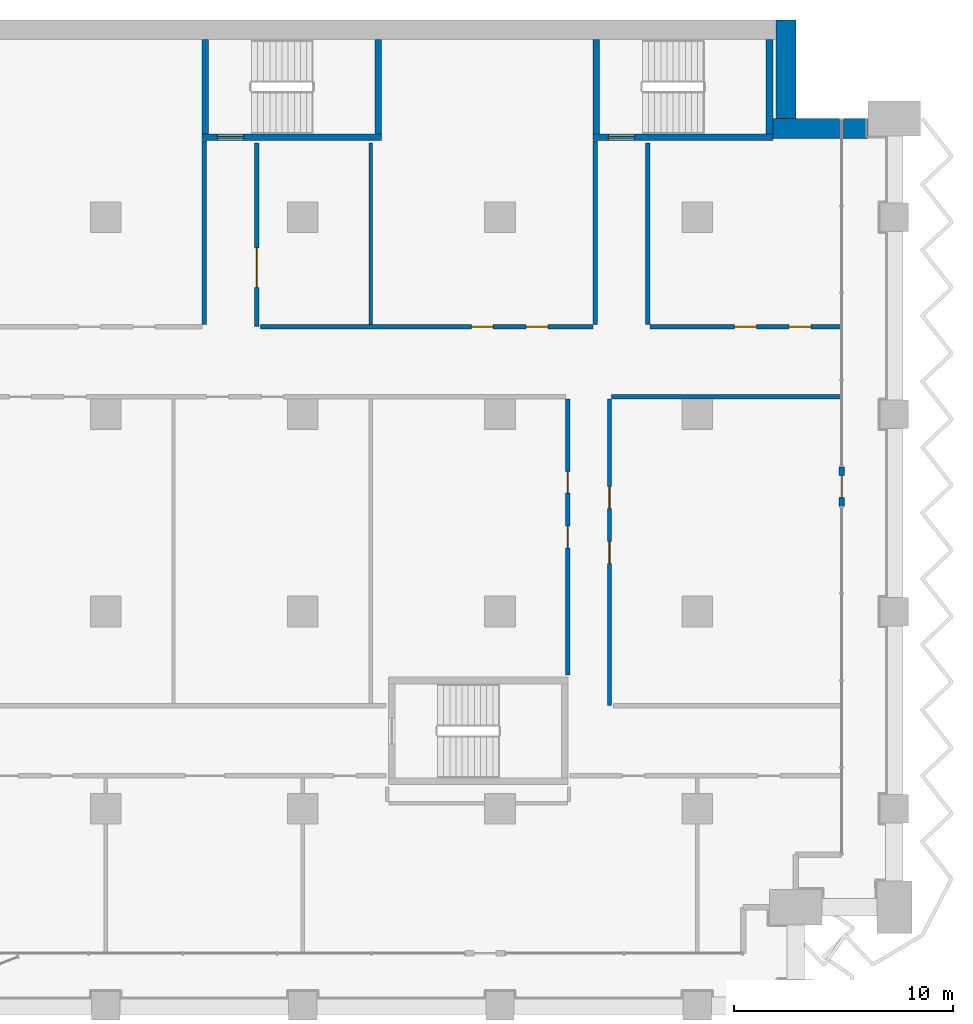
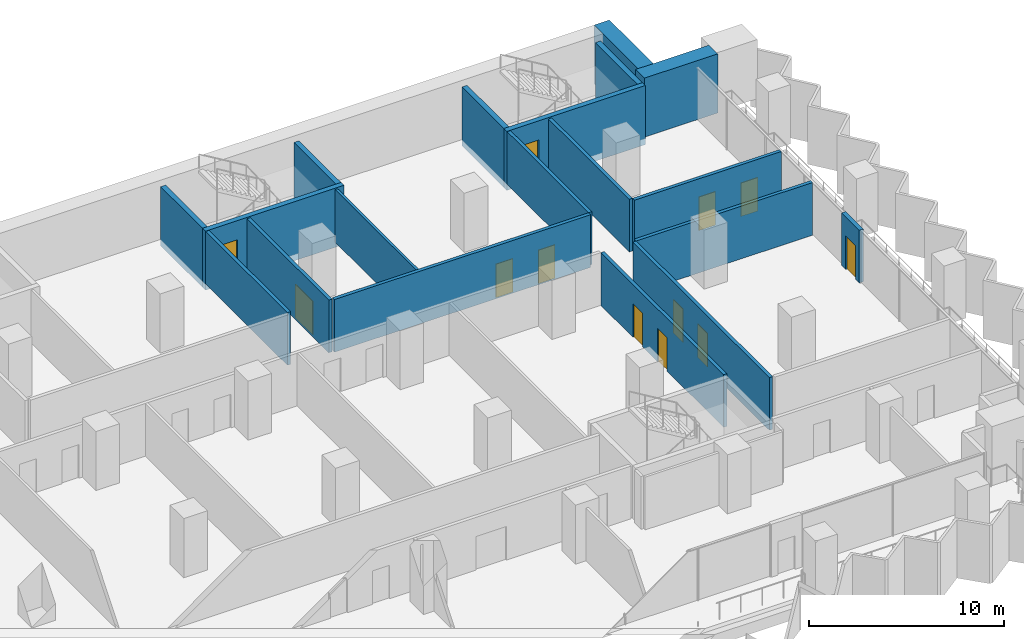
# One storey, part 18 of 28: 19 walls, 12 doors, 12 openings.
"""IFC4 building model written with IfcOpenShell, lengths in metres."""

from ifc_helpers import new_model, si_unit, direction, frame, frame_2d, origin, place, context, subcontext, project, spatial, rectangle, extrude, material, layer, layer_set, type_object, element, fill, save


model = new_model("IFC4")

# Units and contexts
model_context = context("Model", 3, precision=1e-05, world=origin(), true_north=direction((0.0, 1.0)))
body_context = subcontext(model_context, "Body", "Model", "MODEL_VIEW")
ifc_project = project(units=[si_unit("LENGTHUNIT", "METRE"), si_unit("AREAUNIT", "SQUARE_METRE"), si_unit("VOLUMEUNIT", "CUBIC_METRE"), si_unit("PLANEANGLEUNIT", "RADIAN"), si_unit("MASSUNIT", "GRAM", prefix="KILO")], contexts=[model_context])

# Site, building, storey
site_placement = place(None, origin())
site = spatial("IfcSite", under=ifc_project, at=site_placement, CompositionType="ELEMENT")
building_placement = place(site_placement, origin())
building = spatial("IfcBuilding", under=site, at=building_placement, Name="Hunhe Ridgeline Campus", CompositionType="ELEMENT")
storey_placement = place(building_placement, frame((0.0, 0.0, 43.199951171875)))
storey = spatial("IfcBuildingStorey", under=building, at=storey_placement, Name="L09", CompositionType="ELEMENT", Elevation=43.199951171875)

# Wall
ifc_material_1 = material(Name="Gypsum board partition")
ifc_layer_1 = layer(ifc_material_1, 0.199951171875)
ifc_layer_set_1 = layer_set([ifc_layer_1], Name="Corridor partition 200 gypsum board on steel studs")
wall_type_1 = type_object("IfcWallType", Name="Corridor partition 200 gypsum board on steel studs", PredefinedType="PARTITIONING", material=ifc_layer_set_1)
wall_1_placement = place(storey_placement, frame((96.544921875, 81.800048828125, 0.0), z_axis=(0.0, 0.0, 1.0), x_axis=(-1.0, 0.0, 0.0)))
element("IfcWall", 1, at=wall_1_placement, inside=storey, type_object=wall_type_1, Name="F-L09-wall-039", PredefinedType="PARTITIONING", context=body_context, shape_type="SweptSolid", body=[
    extrude(rectangle(XDim=10.44482421875, YDim=0.199951171875, at=frame_2d((5.222412109375, 0.0))), origin(), (0.0, 0.0, 1.0), 3.300048828125),
])

# Wall, openings, doors
wall_2_placement = place(storey_placement, frame((70.0703125, 85.0, 0.0), z_axis=(0.0, 0.0, 1.0), x_axis=(1.0, 0.0, 0.0)))
wall_2 = element("IfcWall", 2, at=wall_2_placement, inside=storey, type_object=wall_type_1, Name="F-L09-wall-042", PredefinedType="PARTITIONING", context=body_context, shape_type="SweptSolid", body=[
    extrude(rectangle(XDim=15.1796875, YDim=0.199951171875, at=frame_2d((7.58984375, 0.0))), origin(), (0.0, 0.0, 1.0), 3.300048828125),
])
opening_1_placement = place(wall_2_placement, frame((9.619873046875, 0.0, 0.0)))
opening_1 = element("IfcOpeningElement", 3, at=opening_1_placement, cuts=wall_2, Name="Opening RD1-047", PredefinedType="OPENING", context=body_context, shape_type="SweptSolid", body=[
    extrude(rectangle(XDim=1.0, YDim=2.10009765625, at=frame_2d((0.5, 1.050048828125))), frame((0.0, 0.10009765625, 0.0), z_axis=(0.0, -1.0, 0.0), x_axis=(1.0, 0.0, 0.0)), (0.0, 0.0, 1.0), 0.199951171875),
])
opening_2_placement = place(wall_2_placement, frame((12.119873046875, 0.0, 0.0)))
opening_2 = element("IfcOpeningElement", 4, at=opening_2_placement, cuts=wall_2, Name="Opening RD1-048", PredefinedType="OPENING", context=body_context, shape_type="SweptSolid", body=[
    extrude(rectangle(XDim=1.0, YDim=2.10009765625, at=frame_2d((0.5, 1.050048828125))), frame((0.0, 0.10009765625, 0.0), z_axis=(0.0, -1.0, 0.0), x_axis=(1.0, 0.0, 0.0)), (0.0, 0.0, 1.0), 0.199951171875),
])
ifc_material_2 = material(Name="Timber door leaf", Category="wood")
door_type_1 = type_object("IfcDoorType", Name="Single fire door 1000x2100 timber FD60", OperationType="NOTDEFINED", PredefinedType="DOOR", material=ifc_material_2)
door_1_placement = place(opening_1_placement, frame((1.0, 0.0, 0.0), z_axis=(0.0, 0.0, 1.0), x_axis=(-1.0, 0.0, 0.0)))
door_1 = element("IfcDoor", 5, at=door_1_placement, inside=storey, type_object=door_type_1, Name="F-L09-door-047", OperationType="SINGLE_SWING_LEFT", OverallHeight=2.10009765625, OverallWidth=1.0, PredefinedType="DOOR", context=body_context, shape_type="SweptSolid", body=[
    extrude(rectangle(XDim=1.0, YDim=2.10009765625, at=frame_2d((0.5, 1.050048828125))), frame((0.0, 0.02490234375, 0.0), z_axis=(0.0, -1.0, 0.0), x_axis=(1.0, 0.0, 0.0)), (0.0, 0.0, 1.0), 0.050048828125),
])
fill(opening_1, door_1)
door_2_placement = place(opening_2_placement, frame((1.0, 0.0, 0.0), z_axis=(0.0, 0.0, 1.0), x_axis=(-1.0, 0.0, 0.0)))
door_2 = element("IfcDoor", 6, at=door_2_placement, inside=storey, type_object=door_type_1, Name="F-L09-door-048", OperationType="SINGLE_SWING_LEFT", OverallHeight=2.10009765625, OverallWidth=1.0, PredefinedType="DOOR", context=body_context, shape_type="SweptSolid", body=[
    extrude(rectangle(XDim=1.0, YDim=2.10009765625, at=frame_2d((0.5, 1.050048828125))), frame((0.0, 0.02490234375, 0.0), z_axis=(0.0, -1.0, 0.0), x_axis=(1.0, 0.0, 0.0)), (0.0, 0.0, 1.0), 0.050048828125),
])
fill(opening_2, door_2)

wall_3_placement = place(storey_placement, frame((87.85009765625, 85.0, 0.0), z_axis=(0.0, 0.0, 1.0), x_axis=(1.0, 0.0, 0.0)))
wall_3 = element("IfcWall", 7, at=wall_3_placement, inside=storey, type_object=wall_type_1, Name="F-L09-wall-043", PredefinedType="PARTITIONING", context=body_context, shape_type="SweptSolid", body=[
    extrude(rectangle(XDim=8.69482421875, YDim=0.199951171875, at=frame_2d((4.347412109375, 0.0))), origin(), (0.0, 0.0, 1.0), 3.300048828125),
])
opening_3_placement = place(wall_3_placement, frame((3.847412109375, 0.0, 0.0)))
opening_3 = element("IfcOpeningElement", 8, at=opening_3_placement, cuts=wall_3, Name="Opening RD1-049", PredefinedType="OPENING", context=body_context, shape_type="SweptSolid", body=[
    extrude(rectangle(XDim=1.0, YDim=2.10009765625, at=frame_2d((0.5, 1.050048828125))), frame((0.0, 0.10009765625, 0.0), z_axis=(0.0, -1.0, 0.0), x_axis=(1.0, 0.0, 0.0)), (0.0, 0.0, 1.0), 0.199951171875),
])
opening_4_placement = place(wall_3_placement, frame((6.347412109375, 0.0, 0.0)))
opening_4 = element("IfcOpeningElement", 9, at=opening_4_placement, cuts=wall_3, Name="Opening RD1-050", PredefinedType="OPENING", context=body_context, shape_type="SweptSolid", body=[
    extrude(rectangle(XDim=1.0, YDim=2.10009765625, at=frame_2d((0.5, 1.050048828125))), frame((0.0, 0.10009765625, 0.0), z_axis=(0.0, -1.0, 0.0), x_axis=(1.0, 0.0, 0.0)), (0.0, 0.0, 1.0), 0.199951171875),
])
door_3_placement = place(opening_3_placement, frame((1.0, 0.0, 0.0), z_axis=(0.0, 0.0, 1.0), x_axis=(-1.0, 0.0, 0.0)))
door_3 = element("IfcDoor", 10, at=door_3_placement, inside=storey, type_object=door_type_1, Name="F-L09-door-049", OperationType="SINGLE_SWING_LEFT", OverallHeight=2.10009765625, OverallWidth=1.0, PredefinedType="DOOR", context=body_context, shape_type="SweptSolid", body=[
    extrude(rectangle(XDim=1.0, YDim=2.10009765625, at=frame_2d((0.5, 1.050048828125))), frame((0.0, 0.02490234375, 0.0), z_axis=(0.0, -1.0, 0.0), x_axis=(1.0, 0.0, 0.0)), (0.0, 0.0, 1.0), 0.050048828125),
])
fill(opening_3, door_3)
door_4_placement = place(opening_4_placement, frame((1.0, 0.0, 0.0), z_axis=(0.0, 0.0, 1.0), x_axis=(-1.0, 0.0, 0.0)))
door_4 = element("IfcDoor", 11, at=door_4_placement, inside=storey, type_object=door_type_1, Name="F-L09-door-050", OperationType="SINGLE_SWING_LEFT", OverallHeight=2.10009765625, OverallWidth=1.0, PredefinedType="DOOR", context=body_context, shape_type="SweptSolid", body=[
    extrude(rectangle(XDim=1.0, YDim=2.10009765625, at=frame_2d((0.5, 1.050048828125))), frame((0.0, 0.02490234375, 0.0), z_axis=(0.0, -1.0, 0.0), x_axis=(1.0, 0.0, 0.0)), (0.0, 0.0, 1.0), 0.050048828125),
])
fill(opening_4, door_4)

# Wall
wall_4_placement = place(storey_placement, frame((67.5, 85.10009765625, 0.0), z_axis=(0.0, 0.0, 1.0), x_axis=(0.0, 1.0, 0.0)))
element("IfcWall", 12, at=wall_4_placement, inside=storey, type_object=wall_type_1, Name="F-L09-wall-068", PredefinedType="PARTITIONING", context=body_context, shape_type="SweptSolid", body=[
    extrude(rectangle(XDim=8.369873046875, YDim=0.199951171875, at=frame_2d((4.18505859375, 0.0))), origin(), (0.0, 0.0, 1.0), 3.300048828125),
])

# Wall, opening, door
wall_5_placement = place(storey_placement, frame((69.89990234375, 93.39599609375, 0.0), z_axis=(0.0, 0.0, 1.0), x_axis=(0.0, -1.0, 0.0)))
wall_5 = element("IfcWall", 13, at=wall_5_placement, inside=storey, type_object=wall_type_1, Name="F-L09-wall-069", PredefinedType="PARTITIONING", context=body_context, shape_type="SweptSolid", body=[
    extrude(rectangle(XDim=8.39599609375, YDim=0.199951171875, at=frame_2d((4.197998046875, 0.0))), origin(), (0.0, 0.0, 1.0), 3.300048828125),
])
opening_5_placement = place(wall_5_placement, frame((4.798095703125, 0.0, 0.0)))
opening_5 = element("IfcOpeningElement", 14, at=opening_5_placement, cuts=wall_5, Name="Opening RD2-052", PredefinedType="OPENING", context=body_context, shape_type="SweptSolid", body=[
    extrude(rectangle(XDim=1.800048828125, YDim=2.10009765625, at=frame_2d((0.89990234375, 1.050048828125))), frame((0.0, 0.10009765625, 0.0), z_axis=(0.0, -1.0, 0.0), x_axis=(1.0, 0.0, 0.0)), (0.0, 0.0, 1.0), 0.199951171875),
])
door_type_2 = type_object("IfcDoorType", Name="Double fire door 1800x2100 timber FD60", OperationType="DOUBLE_DOOR_SINGLE_SWING", PredefinedType="DOOR", material=ifc_material_2)
door_5_placement = place(opening_5_placement, origin())
door_5 = element("IfcDoor", 15, at=door_5_placement, inside=storey, type_object=door_type_2, Name="F-L09-door-052", OperationType="DOUBLE_DOOR_SINGLE_SWING", OverallHeight=2.10009765625, OverallWidth=1.800048828125, PredefinedType="DOOR", context=body_context, shape_type="SweptSolid", body=[
    extrude(rectangle(XDim=1.800048828125, YDim=2.10009765625, at=frame_2d((0.89990234375, 1.050048828125))), frame((0.0, 0.02490234375, 0.0), z_axis=(0.0, -1.0, 0.0), x_axis=(1.0, 0.0, 0.0)), (0.0, 0.0, 1.0), 0.050048828125),
])
fill(opening_5, door_5)

# Wall, openings, doors
wall_6_placement = place(storey_placement, frame((84.10009765625, 69.10400390625, 0.0), z_axis=(0.0, 0.0, 1.0), x_axis=(0.0, 1.0, 0.0)))
wall_6 = element("IfcWall", 16, at=wall_6_placement, inside=storey, type_object=wall_type_1, Name="F-L09-wall-075", PredefinedType="PARTITIONING", context=body_context, shape_type="SweptSolid", body=[
    extrude(rectangle(XDim=12.595947265625, YDim=0.199951171875, at=frame_2d((6.2978515625, 0.0))), origin(), (0.0, 0.0, 1.0), 3.300048828125),
])
opening_6_placement = place(wall_6_placement, frame((5.798095703125, 0.0, 0.0)))
opening_6 = element("IfcOpeningElement", 17, at=opening_6_placement, cuts=wall_6, Name="Opening RD1-033", PredefinedType="OPENING", context=body_context, shape_type="SweptSolid", body=[
    extrude(rectangle(XDim=1.0, YDim=2.10009765625, at=frame_2d((0.5, 1.050048828125))), frame((0.0, 0.10009765625, 0.0), z_axis=(0.0, -1.0, 0.0), x_axis=(1.0, 0.0, 0.0)), (0.0, 0.0, 1.0), 0.199951171875),
])
opening_7_placement = place(wall_6_placement, frame((8.298095703125, 0.0, 0.0)))
opening_7 = element("IfcOpeningElement", 18, at=opening_7_placement, cuts=wall_6, Name="Opening RD1-036", PredefinedType="OPENING", context=body_context, shape_type="SweptSolid", body=[
    extrude(rectangle(XDim=1.0, YDim=2.10009765625, at=frame_2d((0.5, 1.050048828125))), frame((0.0, 0.10009765625, 0.0), z_axis=(0.0, -1.0, 0.0), x_axis=(1.0, 0.0, 0.0)), (0.0, 0.0, 1.0), 0.199951171875),
])
door_6_placement = place(opening_6_placement, frame((1.0, 0.0, 0.0), z_axis=(0.0, 0.0, 1.0), x_axis=(-1.0, 0.0, 0.0)))
door_6 = element("IfcDoor", 19, at=door_6_placement, inside=storey, type_object=door_type_1, Name="F-L09-door-033", OperationType="SINGLE_SWING_LEFT", OverallHeight=2.10009765625, OverallWidth=1.0, PredefinedType="DOOR", context=body_context, shape_type="SweptSolid", body=[
    extrude(rectangle(XDim=1.0, YDim=2.10009765625, at=frame_2d((0.5, 1.050048828125))), frame((0.0, 0.02490234375, 0.0), z_axis=(0.0, -1.0, 0.0), x_axis=(1.0, 0.0, 0.0)), (0.0, 0.0, 1.0), 0.050048828125),
])
fill(opening_6, door_6)
door_7_placement = place(opening_7_placement, frame((1.0, 0.0, 0.0), z_axis=(0.0, 0.0, 1.0), x_axis=(-1.0, 0.0, 0.0)))
door_7 = element("IfcDoor", 20, at=door_7_placement, inside=storey, type_object=door_type_1, Name="F-L09-door-036", OperationType="SINGLE_SWING_LEFT", OverallHeight=2.10009765625, OverallWidth=1.0, PredefinedType="DOOR", context=body_context, shape_type="SweptSolid", body=[
    extrude(rectangle(XDim=1.0, YDim=2.10009765625, at=frame_2d((0.5, 1.050048828125))), frame((0.0, 0.02490234375, 0.0), z_axis=(0.0, -1.0, 0.0), x_axis=(1.0, 0.0, 0.0)), (0.0, 0.0, 1.0), 0.050048828125),
])
fill(opening_7, door_7)

# Wall
wall_7_placement = place(storey_placement, frame((85.35009765625, 85.10009765625, 0.0), z_axis=(0.0, 0.0, 1.0), x_axis=(0.0, 1.0, 0.0)))
element("IfcWall", 21, at=wall_7_placement, inside=storey, type_object=wall_type_1, Name="F-L09-wall-077", PredefinedType="PARTITIONING", context=body_context, shape_type="SweptSolid", body=[
    extrude(rectangle(XDim=8.369873046875, YDim=0.199951171875, at=frame_2d((4.18505859375, 0.0))), origin(), (0.0, 0.0, 1.0), 3.300048828125),
])

# Wall, openings, doors
wall_8_placement = place(storey_placement, frame((86.0, 81.699951171875, 0.0), z_axis=(0.0, 0.0, 1.0), x_axis=(0.0, -1.0, 0.0)))
wall_8 = element("IfcWall", 22, at=wall_8_placement, inside=storey, type_object=wall_type_1, Name="F-L09-wall-078", PredefinedType="PARTITIONING", context=body_context, shape_type="SweptSolid", body=[
    extrude(rectangle(XDim=14.0, YDim=0.199951171875, at=frame_2d((7.0, 0.0))), origin(), (0.0, 0.0, 1.0), 3.300048828125),
])
opening_8_placement = place(wall_8_placement, frame((6.5, 0.0, 0.0)))
opening_8 = element("IfcOpeningElement", 23, at=opening_8_placement, cuts=wall_8, Name="Opening RD1-031", PredefinedType="OPENING", context=body_context, shape_type="SweptSolid", body=[
    extrude(rectangle(XDim=1.0, YDim=2.10009765625, at=frame_2d((0.5, 1.050048828125))), frame((0.0, 0.10009765625, 0.0), z_axis=(0.0, -1.0, 0.0), x_axis=(1.0, 0.0, 0.0)), (0.0, 0.0, 1.0), 0.199951171875),
])
opening_9_placement = place(wall_8_placement, frame((4.0, 0.0, 0.0)))
opening_9 = element("IfcOpeningElement", 24, at=opening_9_placement, cuts=wall_8, Name="Opening RD1-034", PredefinedType="OPENING", context=body_context, shape_type="SweptSolid", body=[
    extrude(rectangle(XDim=1.0, YDim=2.10009765625, at=frame_2d((0.5, 1.050048828125))), frame((0.0, 0.10009765625, 0.0), z_axis=(0.0, -1.0, 0.0), x_axis=(1.0, 0.0, 0.0)), (0.0, 0.0, 1.0), 0.199951171875),
])
door_8_placement = place(opening_8_placement, frame((1.0, 0.0, 0.0), z_axis=(0.0, 0.0, 1.0), x_axis=(-1.0, 0.0, 0.0)))
door_8 = element("IfcDoor", 25, at=door_8_placement, inside=storey, type_object=door_type_1, Name="F-L09-door-031", OperationType="SINGLE_SWING_RIGHT", OverallHeight=2.10009765625, OverallWidth=1.0, PredefinedType="DOOR", context=body_context, shape_type="SweptSolid", body=[
    extrude(rectangle(XDim=1.0, YDim=2.10009765625, at=frame_2d((0.5, 1.050048828125))), frame((0.0, 0.02490234375, 0.0), z_axis=(0.0, -1.0, 0.0), x_axis=(1.0, 0.0, 0.0)), (0.0, 0.0, 1.0), 0.050048828125),
])
fill(opening_8, door_8)
door_9_placement = place(opening_9_placement, frame((1.0, 0.0, 0.0), z_axis=(0.0, 0.0, 1.0), x_axis=(-1.0, 0.0, 0.0)))
door_9 = element("IfcDoor", 26, at=door_9_placement, inside=storey, type_object=door_type_1, Name="F-L09-door-034", OperationType="SINGLE_SWING_RIGHT", OverallHeight=2.10009765625, OverallWidth=1.0, PredefinedType="DOOR", context=body_context, shape_type="SweptSolid", body=[
    extrude(rectangle(XDim=1.0, YDim=2.10009765625, at=frame_2d((0.5, 1.050048828125))), frame((0.0, 0.02490234375, 0.0), z_axis=(0.0, -1.0, 0.0), x_axis=(1.0, 0.0, 0.0)), (0.0, 0.0, 1.0), 0.050048828125),
])
fill(opening_9, door_9)

# Wall
wall_9_placement = place(storey_placement, frame((87.75, 93.39599609375, 0.0), z_axis=(0.0, 0.0, 1.0), x_axis=(0.0, -1.0, 0.0)))
element("IfcWall", 27, at=wall_9_placement, inside=storey, type_object=wall_type_1, Name="F-L09-wall-079", PredefinedType="PARTITIONING", context=body_context, shape_type="SweptSolid", body=[
    extrude(rectangle(XDim=8.2958984375, YDim=0.199951171875, at=frame_2d((4.14794921875, 0.0))), origin(), (0.0, 0.0, 1.0), 3.300048828125),
])

# Wall, opening, door
ifc_material_3 = material(Name="Concrete C30", Category="concrete")
ifc_layer_2 = layer(ifc_material_3, 0.25)
ifc_layer_set_2 = layer_set([ifc_layer_2], Name="Loggia door pier wall 250 Concrete C30")
wall_type_2 = type_object("IfcWallType", Name="Loggia door pier wall 250 Concrete C30", PredefinedType="SOLIDWALL", material=ifc_layer_set_2)
wall_10_placement = place(storey_placement, frame((96.59912109375, 76.800537109375, 0.0), z_axis=(0.0, 0.0, 1.0), x_axis=(0.0, 1.0, 0.0)))
wall_10 = element("IfcWall", 28, at=wall_10_placement, inside=storey, type_object=wall_type_2, Name="Loggia door pier 5", PredefinedType="SOLIDWALL", context=body_context, shape_type="SweptSolid", body=[
    extrude(rectangle(XDim=1.800048828125, YDim=0.25, at=frame_2d((0.89990234375, 0.0))), origin(), (0.0, 0.0, 1.0), 3.300048828125),
])
opening_10_placement = place(wall_10_placement, frame((0.39990234375, 0.0, 0.0)))
opening_10 = element("IfcOpeningElement", 29, at=opening_10_placement, cuts=wall_10, Name="Opening BD108", PredefinedType="OPENING", context=body_context, shape_type="SweptSolid", body=[
    extrude(rectangle(XDim=1.0, YDim=2.10009765625, at=frame_2d((0.5, 1.050048828125))), frame((0.0, 0.125, 0.0), z_axis=(0.0, -1.0, 0.0), x_axis=(1.0, 0.0, 0.0)), (0.0, 0.0, 1.0), 0.25),
])
ifc_material_4 = material(Name="Aluminium 6063", Category="aluminium")
door_type_3 = type_object("IfcDoorType", Name="Loggia glazed door 1000x2100", OperationType="NOTDEFINED", PredefinedType="DOOR", material=ifc_material_4)
door_10_placement = place(opening_10_placement, frame((1.0, 0.0, 0.0), z_axis=(0.0, 0.0, 1.0), x_axis=(-1.0, 0.0, 0.0)))
door_10 = element("IfcDoor", 30, at=door_10_placement, inside=storey, type_object=door_type_3, Name="Loggia door BD108", OperationType="SINGLE_SWING_LEFT", OverallHeight=2.10009765625, OverallWidth=1.0, PredefinedType="DOOR", context=body_context, shape_type="SweptSolid", body=[
    extrude(rectangle(XDim=1.0, YDim=2.10009765625, at=frame_2d((0.5, 1.050048828125))), frame((0.0, 0.02490234375, 0.0), z_axis=(0.0, -1.0, 0.0), x_axis=(1.0, 0.0, 0.0)), (0.0, 0.0, 1.0), 0.050048828125),
])
fill(opening_10, door_10)

# Walls
ifc_layer_3 = layer(ifc_material_1, 0.14990234375)
ifc_layer_set_3 = layer_set([ifc_layer_3], Name="Room partition 150 gypsum board on steel studs")
wall_type_3 = type_object("IfcWallType", Name="Room partition 150 gypsum board on steel studs", PredefinedType="PARTITIONING", material=ifc_layer_set_3)
wall_11_placement = place(storey_placement, frame((75.10009765625, 93.39599609375, 0.0), z_axis=(0.0, 0.0, 1.0), x_axis=(0.0, -1.0, 0.0)))
element("IfcWall", 31, at=wall_11_placement, inside=storey, type_object=wall_type_3, Name="F-L09-wall-073", PredefinedType="PARTITIONING", context=body_context, shape_type="SweptSolid", body=[
    extrude(rectangle(XDim=8.2958984375, YDim=0.14990234375, at=frame_2d((4.14794921875, 0.0))), origin(), (0.0, 0.0, 1.0), 3.300048828125),
])
ifc_material_5 = material(Name="Concrete C80", Category="concrete")
ifc_layer_4 = layer(ifc_material_5, 0.89990234375)
ifc_layer_set_4 = layer_set([ifc_layer_4], Name="Spine wall 900 Concrete C80")
wall_type_4 = type_object("IfcWallType", Name="Spine wall 900 Concrete C80", PredefinedType="SHEAR", material=ifc_layer_set_4)
wall_12_placement = place(storey_placement, frame((97.800048828125, 94.050048828125, 0.0), z_axis=(0.0, 0.0, 1.0), x_axis=(-1.0, 0.0, 0.0)))
element("IfcWall", 32, at=wall_12_placement, inside=storey, type_object=wall_type_4, Name="Spine wall SW1-2 L09", PredefinedType="SHEAR", context=body_context, shape_type="SweptSolid", body=[
    extrude(rectangle(XDim=4.3505859375, YDim=0.89990234375, at=frame_2d((2.17529296875, 0.0))), origin(), (0.0, 0.0, 1.0), 3.699951171875),
])
wall_13_placement = place(storey_placement, frame((94.050048828125, 93.60009765625, 0.0), z_axis=(0.0, 0.0, 1.0), x_axis=(0.0, 1.0, 0.0)))
element("IfcWall", 33, at=wall_13_placement, inside=storey, type_object=wall_type_4, Name="Spine wall SW1-3 L09", PredefinedType="SHEAR", context=body_context, shape_type="SweptSolid", body=[
    extrude(rectangle(XDim=5.39990234375, YDim=0.89990234375, at=frame_2d((2.699951171875, 0.0))), origin(), (0.0, 0.0, 1.0), 3.699951171875),
])

# Wall, opening, door
ifc_layer_5 = layer(ifc_material_5, 0.300048828125)
ifc_layer_set_5 = layer_set([ifc_layer_5], Name="Stair wall 300 reinforced concrete C80")
wall_type_5 = type_object("IfcWallType", Name="Stair wall 300 reinforced concrete C80", PredefinedType="SOLIDWALL", material=ifc_layer_set_5)
wall_14_placement = place(storey_placement, frame((67.39990234375, 93.64990234375, -0.39990234375), z_axis=(0.0, 0.0, 1.0), x_axis=(1.0, 0.0, 0.0)))
wall_14 = element("IfcWall", 34, at=wall_14_placement, inside=storey, type_object=wall_type_5, Name="L09 core wall 34", PredefinedType="SOLIDWALL", context=body_context, shape_type="SweptSolid", body=[
    extrude(rectangle(XDim=8.2001953125, YDim=0.300048828125, at=frame_2d((4.10009765625, 0.0))), origin(), (0.0, 0.0, 1.0), 3.699951171875),
])
opening_11_placement = place(wall_14_placement, frame((0.699951171875, 0.0, 0.39990234375)))
opening_11 = element("IfcOpeningElement", 35, at=opening_11_placement, cuts=wall_14, Name="Opening CD19", PredefinedType="OPENING", context=body_context, shape_type="SweptSolid", body=[
    extrude(rectangle(XDim=1.199951171875, YDim=2.10009765625, at=frame_2d((0.60009765625, 1.050048828125))), frame((0.0, 0.14990234375, 0.0), z_axis=(0.0, -1.0, 0.0), x_axis=(1.0, 0.0, 0.0)), (0.0, 0.0, 1.0), 0.300048828125),
])
ifc_material_6 = material(Name="Hollow metal fire door leaf")
door_type_4 = type_object("IfcDoorType", Name="Stair door 1200x2100 FD60", OperationType="SINGLE_SWING_LEFT", PredefinedType="DOOR", material=ifc_material_6)
door_11_placement = place(opening_11_placement, frame((1.199951171875, 0.0, 0.0), z_axis=(0.0, 0.0, 1.0), x_axis=(-1.0, 0.0, 0.0)))
door_11 = element("IfcDoor", 36, at=door_11_placement, inside=storey, type_object=door_type_4, Name="L09 door E3", OperationType="SINGLE_SWING_RIGHT", OverallHeight=2.10009765625, OverallWidth=1.199951171875, PredefinedType="DOOR", context=body_context, shape_type="SweptSolid", body=[
    extrude(rectangle(XDim=1.199951171875, YDim=2.10009765625, at=frame_2d((0.60009765625, 1.050048828125))), frame((0.0, 0.02490234375, 0.0), z_axis=(0.0, -1.0, 0.0), x_axis=(1.0, 0.0, 0.0)), (0.0, 0.0, 1.0), 0.050048828125),
])
fill(opening_11, door_11)

wall_15_placement = place(storey_placement, frame((85.25, 93.64990234375, -0.39990234375), z_axis=(0.0, 0.0, 1.0), x_axis=(1.0, 0.0, 0.0)))
wall_15 = element("IfcWall", 37, at=wall_15_placement, inside=storey, type_object=wall_type_5, Name="L09 core wall 35", PredefinedType="SOLIDWALL", context=body_context, shape_type="SweptSolid", body=[
    extrude(rectangle(XDim=8.199951171875, YDim=0.300048828125, at=frame_2d((4.10009765625, 0.0))), origin(), (0.0, 0.0, 1.0), 3.699951171875),
])
opening_12_placement = place(wall_15_placement, frame((0.699951171875, 0.0, 0.39990234375)))
opening_12 = element("IfcOpeningElement", 38, at=opening_12_placement, cuts=wall_15, Name="Opening CD20", PredefinedType="OPENING", context=body_context, shape_type="SweptSolid", body=[
    extrude(rectangle(XDim=1.199951171875, YDim=2.10009765625, at=frame_2d((0.60009765625, 1.050048828125))), frame((0.0, 0.14990234375, 0.0), z_axis=(0.0, -1.0, 0.0), x_axis=(1.0, 0.0, 0.0)), (0.0, 0.0, 1.0), 0.300048828125),
])
door_12_placement = place(opening_12_placement, frame((1.199951171875, 0.0, 0.0), z_axis=(0.0, 0.0, 1.0), x_axis=(-1.0, 0.0, 0.0)))
door_12 = element("IfcDoor", 39, at=door_12_placement, inside=storey, type_object=door_type_4, Name="L09 door E4", OperationType="SINGLE_SWING_LEFT", OverallHeight=2.10009765625, OverallWidth=1.199951171875, PredefinedType="DOOR", context=body_context, shape_type="SweptSolid", body=[
    extrude(rectangle(XDim=1.199951171875, YDim=2.10009765625, at=frame_2d((0.60009765625, 1.050048828125))), frame((0.0, 0.02490234375, 0.0), z_axis=(0.0, -1.0, 0.0), x_axis=(1.0, 0.0, 0.0)), (0.0, 0.0, 1.0), 0.050048828125),
])
fill(opening_12, door_12)

# Walls
for number, where, z_axis, x_axis, name in (
    (40, (67.550048828125, 93.800048828125, -0.39990234375), (0.0, 0.0, 1.0), (0.0, 1.0, 0.0), "L09 core wall 69"),
    (41, (75.449951171875, 93.800048828125, -0.39990234375), (0.0, 0.0, 1.0), (0.0, 1.0, 0.0), "L09 core wall 70"),
    (42, (85.39990234375, 93.800048828125, -0.39990234375), (0.0, 0.0, 1.0), (0.0, 1.0, 0.0), "L09 core wall 73"),
    (43, (93.300048828125, 93.800048828125, -0.39990234375), (0.0, 0.0, 1.0), (0.0, 1.0, 0.0), "L09 core wall 74"),
):
    element("IfcWall", number, at=place(storey_placement, frame(where, z_axis=z_axis, x_axis=x_axis)), inside=storey, type_object=wall_type_5, Name=name, PredefinedType="SOLIDWALL", context=body_context, shape_type="SweptSolid", body=[
        extrude(rectangle(XDim=4.300048828125, YDim=0.300048828125, at=frame_2d((2.14990234375, 0.0))), origin(), (0.0, 0.0, 1.0), 3.699951171875),
    ])

save(model, "model.ifc")
